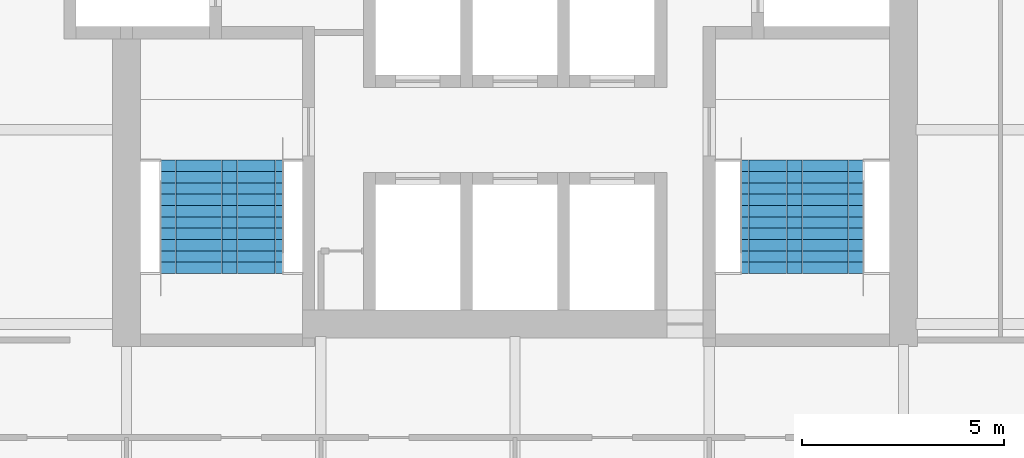
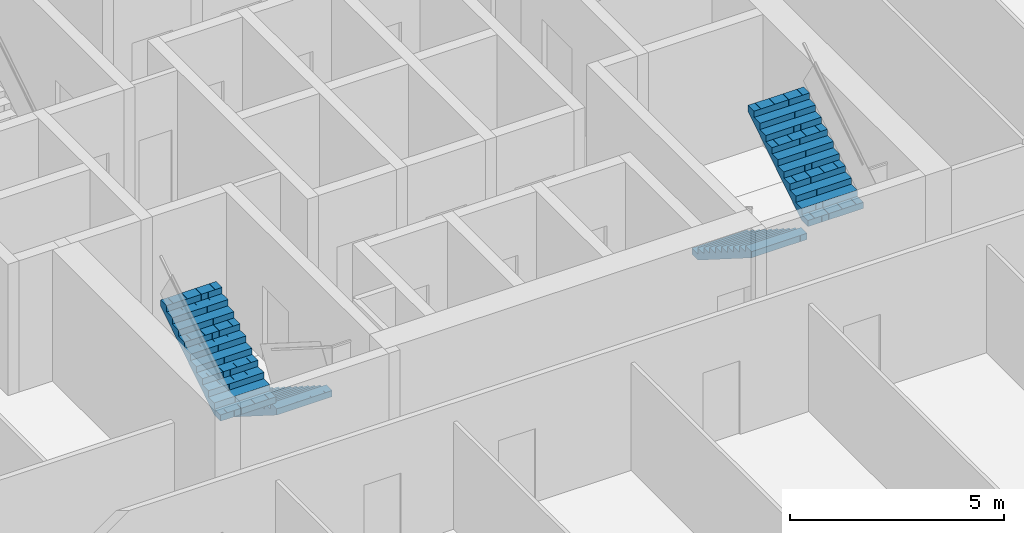
# One storey, part 13 of 16: 4 stair flights, 2 elements without a shape of their own.
"""IFC4 building model written with IfcOpenShell, lengths in metres."""

from ifc_helpers import new_model, si_unit, direction, frame, origin, place, context, subcontext, project, spatial, polyline, outline, extrude, material, type_object, element, aggregate, save


model = new_model("IFC4")

# Units and contexts
model_context = context("Model", 3, precision=1e-05, world=origin(), true_north=direction((0.0, 1.0)))
body_context = subcontext(model_context, "Body", "Model", "MODEL_VIEW")
ifc_project = project(units=[si_unit("LENGTHUNIT", "METRE"), si_unit("AREAUNIT", "SQUARE_METRE"), si_unit("VOLUMEUNIT", "CUBIC_METRE"), si_unit("PLANEANGLEUNIT", "RADIAN"), si_unit("MASSUNIT", "GRAM", prefix="KILO")], contexts=[model_context])

# Site, building, storey
site_placement = place(None, origin())
site = spatial("IfcSite", under=ifc_project, at=site_placement, CompositionType="ELEMENT")
building_placement = place(site_placement, origin())
building = spatial("IfcBuilding", under=site, at=building_placement, Name="Kolab Exchange Tower", CompositionType="ELEMENT")
storey_placement = place(building_placement, frame((0.0, 0.0, 193.39990234375)))
storey = spatial("IfcBuildingStorey", under=building, at=storey_placement, Name="L41", CompositionType="ELEMENT", Elevation=193.39990234375)

# Stair, stair flights
ifc_material = material(Name="Concrete C50/60", Category="concrete")
stair_type_1 = type_object("IfcStairType", Name="STAIR ST3 RISER 177.3", PredefinedType="HALF_TURN_STAIR", material=ifc_material)
stair_1_placement = place(storey_placement, origin())
stair_1 = element("IfcStair", 1, at=stair_1_placement, inside=storey, type_object=stair_type_1, Name="Stair 3", PredefinedType="HALF_TURN_STAIR")
stair_flight_type = type_object("IfcStairFlightType", Name="STAIR FLIGHT 1500 RISER 177.3", PredefinedType="STRAIGHT", material=ifc_material)
stair_flight_1_placement = place(storey_placement, frame((-6.489990234375, -5.550048828125, 0.0), z_axis=(0.0, 0.0, 1.0), x_axis=(0.0, -1.0, 0.0)))
stair_flight_1 = element("IfcStairFlight", 2, at=stair_flight_1_placement, type_object=stair_flight_type, Name="ST3 flight 1", NumberOfRisers=11, NumberOfTreads=10, PredefinedType="STRAIGHT", RiserHeight=0.177272727, TreadLength=0.28, context=body_context, shape_type="SweptSolid", body=[
    extrude(outline(polyline([(0.0, 0.0), (0.0, 0.17724609375), (0.280029296875, 0.17724609375), (0.280029296875, 0.3544921875), (0.56005859375, 0.3544921875), (0.56005859375, 0.53173828125), (0.840087890625, 0.53173828125), (0.840087890625, 0.708984375), (1.1201171875, 0.708984375), (1.1201171875, 0.886474609375), (1.39990234375, 0.886474609375), (1.39990234375, 1.063720703125), (1.679931640625, 1.063720703125), (1.679931640625, 1.240966796875), (1.9599609375, 1.240966796875), (1.9599609375, 1.418212890625), (2.239990234375, 1.418212890625), (2.239990234375, 1.595458984375), (2.52001953125, 1.595458984375), (2.52001953125, 1.772705078125), (2.800048828125, 1.772705078125), (2.800048828125, 1.949951171875), (2.800048828125, 1.59521484375), (0.2802734375, 0.0), (0.0, 0.0)])), frame((0.0, 0.75, 0.0), z_axis=(0.0, -1.0, 0.0), x_axis=(1.0, 0.0, 0.0)), (0.0, 0.0, 1.0), 0.185791015625),
    extrude(outline(polyline([(0.0, 0.0), (0.0, 0.17724609375), (0.280029296875, 0.17724609375), (0.280029296875, 0.3544921875), (0.56005859375, 0.3544921875), (0.56005859375, 0.53173828125), (0.840087890625, 0.53173828125), (0.840087890625, 0.708984375), (1.1201171875, 0.708984375), (1.1201171875, 0.886474609375), (1.39990234375, 0.886474609375), (1.39990234375, 1.063720703125), (1.679931640625, 1.063720703125), (1.679931640625, 1.240966796875), (1.9599609375, 1.240966796875), (1.9599609375, 1.418212890625), (2.239990234375, 1.418212890625), (2.239990234375, 1.595458984375), (2.52001953125, 1.595458984375), (2.52001953125, 1.772705078125), (2.800048828125, 1.772705078125), (2.800048828125, 1.949951171875), (2.800048828125, 1.59521484375), (0.2802734375, 0.0), (0.0, 0.0)])), frame((0.0, 0.562255859375, 0.0), z_axis=(0.0, -1.0, 0.0), x_axis=(1.0, 0.0, 0.0)), (0.0, 0.0, 1.0), 0.185791015625),
    extrude(outline(polyline([(0.0, 0.0), (0.0, 0.17724609375), (0.280029296875, 0.17724609375), (0.280029296875, 0.3544921875), (0.56005859375, 0.3544921875), (0.56005859375, 0.53173828125), (0.840087890625, 0.53173828125), (0.840087890625, 0.708984375), (1.1201171875, 0.708984375), (1.1201171875, 0.886474609375), (1.39990234375, 0.886474609375), (1.39990234375, 1.063720703125), (1.679931640625, 1.063720703125), (1.679931640625, 1.240966796875), (1.9599609375, 1.240966796875), (1.9599609375, 1.418212890625), (2.239990234375, 1.418212890625), (2.239990234375, 1.595458984375), (2.52001953125, 1.595458984375), (2.52001953125, 1.772705078125), (2.800048828125, 1.772705078125), (2.800048828125, 1.949951171875), (2.800048828125, 1.59521484375), (0.2802734375, 0.0), (0.0, 0.0)])), frame((0.0, 0.37451171875, 0.0), z_axis=(0.0, -1.0, 0.0), x_axis=(1.0, 0.0, 0.0)), (0.0, 0.0, 1.0), 0.185791015625),
    extrude(outline(polyline([(0.0, 0.0), (0.0, 0.17724609375), (0.280029296875, 0.17724609375), (0.280029296875, 0.3544921875), (0.56005859375, 0.3544921875), (0.56005859375, 0.53173828125), (0.840087890625, 0.53173828125), (0.840087890625, 0.708984375), (1.1201171875, 0.708984375), (1.1201171875, 0.886474609375), (1.39990234375, 0.886474609375), (1.39990234375, 1.063720703125), (1.679931640625, 1.063720703125), (1.679931640625, 1.240966796875), (1.9599609375, 1.240966796875), (1.9599609375, 1.418212890625), (2.239990234375, 1.418212890625), (2.239990234375, 1.595458984375), (2.52001953125, 1.595458984375), (2.52001953125, 1.772705078125), (2.800048828125, 1.772705078125), (2.800048828125, 1.949951171875), (2.800048828125, 1.59521484375), (0.2802734375, 0.0), (0.0, 0.0)])), frame((0.0, 0.186767578125, 0.0), z_axis=(0.0, -1.0, 0.0), x_axis=(1.0, 0.0, 0.0)), (0.0, 0.0, 1.0), 0.185791015625),
    extrude(outline(polyline([(0.0, 0.0), (0.0, 0.17724609375), (0.280029296875, 0.17724609375), (0.280029296875, 0.3544921875), (0.56005859375, 0.3544921875), (0.56005859375, 0.53173828125), (0.840087890625, 0.53173828125), (0.840087890625, 0.708984375), (1.1201171875, 0.708984375), (1.1201171875, 0.886474609375), (1.39990234375, 0.886474609375), (1.39990234375, 1.063720703125), (1.679931640625, 1.063720703125), (1.679931640625, 1.240966796875), (1.9599609375, 1.240966796875), (1.9599609375, 1.418212890625), (2.239990234375, 1.418212890625), (2.239990234375, 1.595458984375), (2.52001953125, 1.595458984375), (2.52001953125, 1.772705078125), (2.800048828125, 1.772705078125), (2.800048828125, 1.949951171875), (2.800048828125, 1.59521484375), (0.2802734375, 0.0), (0.0, 0.0)])), frame((0.0, -0.0009765625, 0.0), z_axis=(0.0, -1.0, 0.0), x_axis=(1.0, 0.0, 0.0)), (0.0, 0.0, 1.0), 0.185791015625),
    extrude(outline(polyline([(0.0, 0.0), (0.0, 0.17724609375), (0.280029296875, 0.17724609375), (0.280029296875, 0.3544921875), (0.56005859375, 0.3544921875), (0.56005859375, 0.53173828125), (0.840087890625, 0.53173828125), (0.840087890625, 0.708984375), (1.1201171875, 0.708984375), (1.1201171875, 0.886474609375), (1.39990234375, 0.886474609375), (1.39990234375, 1.063720703125), (1.679931640625, 1.063720703125), (1.679931640625, 1.240966796875), (1.9599609375, 1.240966796875), (1.9599609375, 1.418212890625), (2.239990234375, 1.418212890625), (2.239990234375, 1.595458984375), (2.52001953125, 1.595458984375), (2.52001953125, 1.772705078125), (2.800048828125, 1.772705078125), (2.800048828125, 1.949951171875), (2.800048828125, 1.59521484375), (0.2802734375, 0.0), (0.0, 0.0)])), frame((0.0, -0.188720703125, 0.0), z_axis=(0.0, -1.0, 0.0), x_axis=(1.0, 0.0, 0.0)), (0.0, 0.0, 1.0), 0.185791015625),
    extrude(outline(polyline([(0.0, 0.0), (0.0, 0.17724609375), (0.280029296875, 0.17724609375), (0.280029296875, 0.3544921875), (0.56005859375, 0.3544921875), (0.56005859375, 0.53173828125), (0.840087890625, 0.53173828125), (0.840087890625, 0.708984375), (1.1201171875, 0.708984375), (1.1201171875, 0.886474609375), (1.39990234375, 0.886474609375), (1.39990234375, 1.063720703125), (1.679931640625, 1.063720703125), (1.679931640625, 1.240966796875), (1.9599609375, 1.240966796875), (1.9599609375, 1.418212890625), (2.239990234375, 1.418212890625), (2.239990234375, 1.595458984375), (2.52001953125, 1.595458984375), (2.52001953125, 1.772705078125), (2.800048828125, 1.772705078125), (2.800048828125, 1.949951171875), (2.800048828125, 1.59521484375), (0.2802734375, 0.0), (0.0, 0.0)])), frame((0.0, -0.37646484375, 0.0), z_axis=(0.0, -1.0, 0.0), x_axis=(1.0, 0.0, 0.0)), (0.0, 0.0, 1.0), 0.185791015625),
    extrude(outline(polyline([(0.0, 0.0), (0.0, 0.17724609375), (0.280029296875, 0.17724609375), (0.280029296875, 0.3544921875), (0.56005859375, 0.3544921875), (0.56005859375, 0.53173828125), (0.840087890625, 0.53173828125), (0.840087890625, 0.708984375), (1.1201171875, 0.708984375), (1.1201171875, 0.886474609375), (1.39990234375, 0.886474609375), (1.39990234375, 1.063720703125), (1.679931640625, 1.063720703125), (1.679931640625, 1.240966796875), (1.9599609375, 1.240966796875), (1.9599609375, 1.418212890625), (2.239990234375, 1.418212890625), (2.239990234375, 1.595458984375), (2.52001953125, 1.595458984375), (2.52001953125, 1.772705078125), (2.800048828125, 1.772705078125), (2.800048828125, 1.949951171875), (2.800048828125, 1.59521484375), (0.2802734375, 0.0), (0.0, 0.0)])), frame((0.0, -0.564208984375, 0.0), z_axis=(0.0, -1.0, 0.0), x_axis=(1.0, 0.0, 0.0)), (0.0, 0.0, 1.0), 0.185791015625),
])
stair_flight_2_placement = place(storey_placement, frame((-8.010009765625, -8.35009765625, 1.9501953125), z_axis=(0.0, 0.0, 1.0), x_axis=(0.0, 1.0, 0.0)))
stair_flight_2 = element("IfcStairFlight", 3, at=stair_flight_2_placement, type_object=stair_flight_type, Name="ST3 flight 2", NumberOfRisers=11, NumberOfTreads=10, PredefinedType="STRAIGHT", RiserHeight=0.177272727, TreadLength=0.28, context=body_context, shape_type="SweptSolid", body=[
    extrude(outline(polyline([(0.0, 0.0), (0.0, 0.17724609375), (0.280029296875, 0.17724609375), (0.280029296875, 0.3544921875), (0.56005859375, 0.3544921875), (0.56005859375, 0.53173828125), (0.840087890625, 0.53173828125), (0.840087890625, 0.708984375), (1.1201171875, 0.708984375), (1.1201171875, 0.886474609375), (1.39990234375, 0.886474609375), (1.39990234375, 1.063720703125), (1.679931640625, 1.063720703125), (1.679931640625, 1.240966796875), (1.9599609375, 1.240966796875), (1.9599609375, 1.418212890625), (2.239990234375, 1.418212890625), (2.239990234375, 1.595458984375), (2.52001953125, 1.595458984375), (2.52001953125, 1.772705078125), (2.800048828125, 1.772705078125), (2.800048828125, 1.949951171875), (2.800048828125, 1.59521484375), (0.2802734375, 0.0), (0.0, 0.0)])), frame((0.0, 0.75, 0.0), z_axis=(0.0, -1.0, 0.0), x_axis=(1.0, 0.0, 0.0)), (0.0, 0.0, 1.0), 0.185791015625),
    extrude(outline(polyline([(0.0, 0.0), (0.0, 0.17724609375), (0.280029296875, 0.17724609375), (0.280029296875, 0.3544921875), (0.56005859375, 0.3544921875), (0.56005859375, 0.53173828125), (0.840087890625, 0.53173828125), (0.840087890625, 0.708984375), (1.1201171875, 0.708984375), (1.1201171875, 0.886474609375), (1.39990234375, 0.886474609375), (1.39990234375, 1.063720703125), (1.679931640625, 1.063720703125), (1.679931640625, 1.240966796875), (1.9599609375, 1.240966796875), (1.9599609375, 1.418212890625), (2.239990234375, 1.418212890625), (2.239990234375, 1.595458984375), (2.52001953125, 1.595458984375), (2.52001953125, 1.772705078125), (2.800048828125, 1.772705078125), (2.800048828125, 1.949951171875), (2.800048828125, 1.59521484375), (0.2802734375, 0.0), (0.0, 0.0)])), frame((0.0, 0.562255859375, 0.0), z_axis=(0.0, -1.0, 0.0), x_axis=(1.0, 0.0, 0.0)), (0.0, 0.0, 1.0), 0.185791015625),
    extrude(outline(polyline([(0.0, 0.0), (0.0, 0.17724609375), (0.280029296875, 0.17724609375), (0.280029296875, 0.3544921875), (0.56005859375, 0.3544921875), (0.56005859375, 0.53173828125), (0.840087890625, 0.53173828125), (0.840087890625, 0.708984375), (1.1201171875, 0.708984375), (1.1201171875, 0.886474609375), (1.39990234375, 0.886474609375), (1.39990234375, 1.063720703125), (1.679931640625, 1.063720703125), (1.679931640625, 1.240966796875), (1.9599609375, 1.240966796875), (1.9599609375, 1.418212890625), (2.239990234375, 1.418212890625), (2.239990234375, 1.595458984375), (2.52001953125, 1.595458984375), (2.52001953125, 1.772705078125), (2.800048828125, 1.772705078125), (2.800048828125, 1.949951171875), (2.800048828125, 1.59521484375), (0.2802734375, 0.0), (0.0, 0.0)])), frame((0.0, 0.37451171875, 0.0), z_axis=(0.0, -1.0, 0.0), x_axis=(1.0, 0.0, 0.0)), (0.0, 0.0, 1.0), 0.185791015625),
    extrude(outline(polyline([(0.0, 0.0), (0.0, 0.17724609375), (0.280029296875, 0.17724609375), (0.280029296875, 0.3544921875), (0.56005859375, 0.3544921875), (0.56005859375, 0.53173828125), (0.840087890625, 0.53173828125), (0.840087890625, 0.708984375), (1.1201171875, 0.708984375), (1.1201171875, 0.886474609375), (1.39990234375, 0.886474609375), (1.39990234375, 1.063720703125), (1.679931640625, 1.063720703125), (1.679931640625, 1.240966796875), (1.9599609375, 1.240966796875), (1.9599609375, 1.418212890625), (2.239990234375, 1.418212890625), (2.239990234375, 1.595458984375), (2.52001953125, 1.595458984375), (2.52001953125, 1.772705078125), (2.800048828125, 1.772705078125), (2.800048828125, 1.949951171875), (2.800048828125, 1.59521484375), (0.2802734375, 0.0), (0.0, 0.0)])), frame((0.0, 0.186767578125, 0.0), z_axis=(0.0, -1.0, 0.0), x_axis=(1.0, 0.0, 0.0)), (0.0, 0.0, 1.0), 0.185791015625),
    extrude(outline(polyline([(0.0, 0.0), (0.0, 0.17724609375), (0.280029296875, 0.17724609375), (0.280029296875, 0.3544921875), (0.56005859375, 0.3544921875), (0.56005859375, 0.53173828125), (0.840087890625, 0.53173828125), (0.840087890625, 0.708984375), (1.1201171875, 0.708984375), (1.1201171875, 0.886474609375), (1.39990234375, 0.886474609375), (1.39990234375, 1.063720703125), (1.679931640625, 1.063720703125), (1.679931640625, 1.240966796875), (1.9599609375, 1.240966796875), (1.9599609375, 1.418212890625), (2.239990234375, 1.418212890625), (2.239990234375, 1.595458984375), (2.52001953125, 1.595458984375), (2.52001953125, 1.772705078125), (2.800048828125, 1.772705078125), (2.800048828125, 1.949951171875), (2.800048828125, 1.59521484375), (0.2802734375, 0.0), (0.0, 0.0)])), frame((0.0, -0.0009765625, 0.0), z_axis=(0.0, -1.0, 0.0), x_axis=(1.0, 0.0, 0.0)), (0.0, 0.0, 1.0), 0.185791015625),
    extrude(outline(polyline([(0.0, 0.0), (0.0, 0.17724609375), (0.280029296875, 0.17724609375), (0.280029296875, 0.3544921875), (0.56005859375, 0.3544921875), (0.56005859375, 0.53173828125), (0.840087890625, 0.53173828125), (0.840087890625, 0.708984375), (1.1201171875, 0.708984375), (1.1201171875, 0.886474609375), (1.39990234375, 0.886474609375), (1.39990234375, 1.063720703125), (1.679931640625, 1.063720703125), (1.679931640625, 1.240966796875), (1.9599609375, 1.240966796875), (1.9599609375, 1.418212890625), (2.239990234375, 1.418212890625), (2.239990234375, 1.595458984375), (2.52001953125, 1.595458984375), (2.52001953125, 1.772705078125), (2.800048828125, 1.772705078125), (2.800048828125, 1.949951171875), (2.800048828125, 1.59521484375), (0.2802734375, 0.0), (0.0, 0.0)])), frame((0.0, -0.188720703125, 0.0), z_axis=(0.0, -1.0, 0.0), x_axis=(1.0, 0.0, 0.0)), (0.0, 0.0, 1.0), 0.185791015625),
    extrude(outline(polyline([(0.0, 0.0), (0.0, 0.17724609375), (0.280029296875, 0.17724609375), (0.280029296875, 0.3544921875), (0.56005859375, 0.3544921875), (0.56005859375, 0.53173828125), (0.840087890625, 0.53173828125), (0.840087890625, 0.708984375), (1.1201171875, 0.708984375), (1.1201171875, 0.886474609375), (1.39990234375, 0.886474609375), (1.39990234375, 1.063720703125), (1.679931640625, 1.063720703125), (1.679931640625, 1.240966796875), (1.9599609375, 1.240966796875), (1.9599609375, 1.418212890625), (2.239990234375, 1.418212890625), (2.239990234375, 1.595458984375), (2.52001953125, 1.595458984375), (2.52001953125, 1.772705078125), (2.800048828125, 1.772705078125), (2.800048828125, 1.949951171875), (2.800048828125, 1.59521484375), (0.2802734375, 0.0), (0.0, 0.0)])), frame((0.0, -0.37646484375, 0.0), z_axis=(0.0, -1.0, 0.0), x_axis=(1.0, 0.0, 0.0)), (0.0, 0.0, 1.0), 0.185791015625),
    extrude(outline(polyline([(0.0, 0.0), (0.0, 0.17724609375), (0.280029296875, 0.17724609375), (0.280029296875, 0.3544921875), (0.56005859375, 0.3544921875), (0.56005859375, 0.53173828125), (0.840087890625, 0.53173828125), (0.840087890625, 0.708984375), (1.1201171875, 0.708984375), (1.1201171875, 0.886474609375), (1.39990234375, 0.886474609375), (1.39990234375, 1.063720703125), (1.679931640625, 1.063720703125), (1.679931640625, 1.240966796875), (1.9599609375, 1.240966796875), (1.9599609375, 1.418212890625), (2.239990234375, 1.418212890625), (2.239990234375, 1.595458984375), (2.52001953125, 1.595458984375), (2.52001953125, 1.772705078125), (2.800048828125, 1.772705078125), (2.800048828125, 1.949951171875), (2.800048828125, 1.59521484375), (0.2802734375, 0.0), (0.0, 0.0)])), frame((0.0, -0.564208984375, 0.0), z_axis=(0.0, -1.0, 0.0), x_axis=(1.0, 0.0, 0.0)), (0.0, 0.0, 1.0), 0.185791015625),
])
aggregate(stair_1, [stair_flight_1, stair_flight_2])

stair_type_2 = type_object("IfcStairType", Name="STAIR ST2 RISER 177.3", PredefinedType="HALF_TURN_STAIR", material=ifc_material)
stair_2_placement = place(storey_placement, origin())
stair_2 = element("IfcStair", 4, at=stair_2_placement, inside=storey, type_object=stair_type_2, Name="Stair 2", PredefinedType="HALF_TURN_STAIR")
stair_flight_3_placement = place(storey_placement, frame((6.340087890625, -5.550048828125, 0.0), z_axis=(0.0, 0.0, 1.0), x_axis=(0.0, -1.0, 0.0)))
stair_flight_3 = element("IfcStairFlight", 5, at=stair_flight_3_placement, type_object=stair_flight_type, Name="ST2 flight 1", NumberOfRisers=11, NumberOfTreads=10, PredefinedType="STRAIGHT", RiserHeight=0.177272727, TreadLength=0.28, context=body_context, shape_type="SweptSolid", body=[
    extrude(outline(polyline([(0.0, 0.0), (0.0, 0.17724609375), (0.280029296875, 0.17724609375), (0.280029296875, 0.3544921875), (0.56005859375, 0.3544921875), (0.56005859375, 0.53173828125), (0.840087890625, 0.53173828125), (0.840087890625, 0.708984375), (1.1201171875, 0.708984375), (1.1201171875, 0.886474609375), (1.39990234375, 0.886474609375), (1.39990234375, 1.063720703125), (1.679931640625, 1.063720703125), (1.679931640625, 1.240966796875), (1.9599609375, 1.240966796875), (1.9599609375, 1.418212890625), (2.239990234375, 1.418212890625), (2.239990234375, 1.595458984375), (2.52001953125, 1.595458984375), (2.52001953125, 1.772705078125), (2.800048828125, 1.772705078125), (2.800048828125, 1.949951171875), (2.800048828125, 1.59521484375), (0.2802734375, 0.0), (0.0, 0.0)])), frame((0.0, 0.75, 0.0), z_axis=(0.0, -1.0, 0.0), x_axis=(1.0, 0.0, 0.0)), (0.0, 0.0, 1.0), 0.185791015625),
    extrude(outline(polyline([(0.0, 0.0), (0.0, 0.17724609375), (0.280029296875, 0.17724609375), (0.280029296875, 0.3544921875), (0.56005859375, 0.3544921875), (0.56005859375, 0.53173828125), (0.840087890625, 0.53173828125), (0.840087890625, 0.708984375), (1.1201171875, 0.708984375), (1.1201171875, 0.886474609375), (1.39990234375, 0.886474609375), (1.39990234375, 1.063720703125), (1.679931640625, 1.063720703125), (1.679931640625, 1.240966796875), (1.9599609375, 1.240966796875), (1.9599609375, 1.418212890625), (2.239990234375, 1.418212890625), (2.239990234375, 1.595458984375), (2.52001953125, 1.595458984375), (2.52001953125, 1.772705078125), (2.800048828125, 1.772705078125), (2.800048828125, 1.949951171875), (2.800048828125, 1.59521484375), (0.2802734375, 0.0), (0.0, 0.0)])), frame((0.0, 0.562255859375, 0.0), z_axis=(0.0, -1.0, 0.0), x_axis=(1.0, 0.0, 0.0)), (0.0, 0.0, 1.0), 0.185791015625),
    extrude(outline(polyline([(0.0, 0.0), (0.0, 0.17724609375), (0.280029296875, 0.17724609375), (0.280029296875, 0.3544921875), (0.56005859375, 0.3544921875), (0.56005859375, 0.53173828125), (0.840087890625, 0.53173828125), (0.840087890625, 0.708984375), (1.1201171875, 0.708984375), (1.1201171875, 0.886474609375), (1.39990234375, 0.886474609375), (1.39990234375, 1.063720703125), (1.679931640625, 1.063720703125), (1.679931640625, 1.240966796875), (1.9599609375, 1.240966796875), (1.9599609375, 1.418212890625), (2.239990234375, 1.418212890625), (2.239990234375, 1.595458984375), (2.52001953125, 1.595458984375), (2.52001953125, 1.772705078125), (2.800048828125, 1.772705078125), (2.800048828125, 1.949951171875), (2.800048828125, 1.59521484375), (0.2802734375, 0.0), (0.0, 0.0)])), frame((0.0, 0.37451171875, 0.0), z_axis=(0.0, -1.0, 0.0), x_axis=(1.0, 0.0, 0.0)), (0.0, 0.0, 1.0), 0.185791015625),
    extrude(outline(polyline([(0.0, 0.0), (0.0, 0.17724609375), (0.280029296875, 0.17724609375), (0.280029296875, 0.3544921875), (0.56005859375, 0.3544921875), (0.56005859375, 0.53173828125), (0.840087890625, 0.53173828125), (0.840087890625, 0.708984375), (1.1201171875, 0.708984375), (1.1201171875, 0.886474609375), (1.39990234375, 0.886474609375), (1.39990234375, 1.063720703125), (1.679931640625, 1.063720703125), (1.679931640625, 1.240966796875), (1.9599609375, 1.240966796875), (1.9599609375, 1.418212890625), (2.239990234375, 1.418212890625), (2.239990234375, 1.595458984375), (2.52001953125, 1.595458984375), (2.52001953125, 1.772705078125), (2.800048828125, 1.772705078125), (2.800048828125, 1.949951171875), (2.800048828125, 1.59521484375), (0.2802734375, 0.0), (0.0, 0.0)])), frame((0.0, 0.186767578125, 0.0), z_axis=(0.0, -1.0, 0.0), x_axis=(1.0, 0.0, 0.0)), (0.0, 0.0, 1.0), 0.185791015625),
    extrude(outline(polyline([(0.0, 0.0), (0.0, 0.17724609375), (0.280029296875, 0.17724609375), (0.280029296875, 0.3544921875), (0.56005859375, 0.3544921875), (0.56005859375, 0.53173828125), (0.840087890625, 0.53173828125), (0.840087890625, 0.708984375), (1.1201171875, 0.708984375), (1.1201171875, 0.886474609375), (1.39990234375, 0.886474609375), (1.39990234375, 1.063720703125), (1.679931640625, 1.063720703125), (1.679931640625, 1.240966796875), (1.9599609375, 1.240966796875), (1.9599609375, 1.418212890625), (2.239990234375, 1.418212890625), (2.239990234375, 1.595458984375), (2.52001953125, 1.595458984375), (2.52001953125, 1.772705078125), (2.800048828125, 1.772705078125), (2.800048828125, 1.949951171875), (2.800048828125, 1.59521484375), (0.2802734375, 0.0), (0.0, 0.0)])), frame((0.0, -0.0009765625, 0.0), z_axis=(0.0, -1.0, 0.0), x_axis=(1.0, 0.0, 0.0)), (0.0, 0.0, 1.0), 0.185791015625),
    extrude(outline(polyline([(0.0, 0.0), (0.0, 0.17724609375), (0.280029296875, 0.17724609375), (0.280029296875, 0.3544921875), (0.56005859375, 0.3544921875), (0.56005859375, 0.53173828125), (0.840087890625, 0.53173828125), (0.840087890625, 0.708984375), (1.1201171875, 0.708984375), (1.1201171875, 0.886474609375), (1.39990234375, 0.886474609375), (1.39990234375, 1.063720703125), (1.679931640625, 1.063720703125), (1.679931640625, 1.240966796875), (1.9599609375, 1.240966796875), (1.9599609375, 1.418212890625), (2.239990234375, 1.418212890625), (2.239990234375, 1.595458984375), (2.52001953125, 1.595458984375), (2.52001953125, 1.772705078125), (2.800048828125, 1.772705078125), (2.800048828125, 1.949951171875), (2.800048828125, 1.59521484375), (0.2802734375, 0.0), (0.0, 0.0)])), frame((0.0, -0.188720703125, 0.0), z_axis=(0.0, -1.0, 0.0), x_axis=(1.0, 0.0, 0.0)), (0.0, 0.0, 1.0), 0.185791015625),
    extrude(outline(polyline([(0.0, 0.0), (0.0, 0.17724609375), (0.280029296875, 0.17724609375), (0.280029296875, 0.3544921875), (0.56005859375, 0.3544921875), (0.56005859375, 0.53173828125), (0.840087890625, 0.53173828125), (0.840087890625, 0.708984375), (1.1201171875, 0.708984375), (1.1201171875, 0.886474609375), (1.39990234375, 0.886474609375), (1.39990234375, 1.063720703125), (1.679931640625, 1.063720703125), (1.679931640625, 1.240966796875), (1.9599609375, 1.240966796875), (1.9599609375, 1.418212890625), (2.239990234375, 1.418212890625), (2.239990234375, 1.595458984375), (2.52001953125, 1.595458984375), (2.52001953125, 1.772705078125), (2.800048828125, 1.772705078125), (2.800048828125, 1.949951171875), (2.800048828125, 1.59521484375), (0.2802734375, 0.0), (0.0, 0.0)])), frame((0.0, -0.37646484375, 0.0), z_axis=(0.0, -1.0, 0.0), x_axis=(1.0, 0.0, 0.0)), (0.0, 0.0, 1.0), 0.185791015625),
    extrude(outline(polyline([(0.0, 0.0), (0.0, 0.17724609375), (0.280029296875, 0.17724609375), (0.280029296875, 0.3544921875), (0.56005859375, 0.3544921875), (0.56005859375, 0.53173828125), (0.840087890625, 0.53173828125), (0.840087890625, 0.708984375), (1.1201171875, 0.708984375), (1.1201171875, 0.886474609375), (1.39990234375, 0.886474609375), (1.39990234375, 1.063720703125), (1.679931640625, 1.063720703125), (1.679931640625, 1.240966796875), (1.9599609375, 1.240966796875), (1.9599609375, 1.418212890625), (2.239990234375, 1.418212890625), (2.239990234375, 1.595458984375), (2.52001953125, 1.595458984375), (2.52001953125, 1.772705078125), (2.800048828125, 1.772705078125), (2.800048828125, 1.949951171875), (2.800048828125, 1.59521484375), (0.2802734375, 0.0), (0.0, 0.0)])), frame((0.0, -0.564208984375, 0.0), z_axis=(0.0, -1.0, 0.0), x_axis=(1.0, 0.0, 0.0)), (0.0, 0.0, 1.0), 0.185791015625),
])
stair_flight_4_placement = place(storey_placement, frame((7.860107421875, -8.35009765625, 1.9501953125), z_axis=(0.0, 0.0, 1.0), x_axis=(0.0, 1.0, 0.0)))
stair_flight_4 = element("IfcStairFlight", 6, at=stair_flight_4_placement, type_object=stair_flight_type, Name="ST2 flight 2", NumberOfRisers=11, NumberOfTreads=10, PredefinedType="STRAIGHT", RiserHeight=0.177272727, TreadLength=0.28, context=body_context, shape_type="SweptSolid", body=[
    extrude(outline(polyline([(0.0, 0.0), (0.0, 0.17724609375), (0.280029296875, 0.17724609375), (0.280029296875, 0.3544921875), (0.56005859375, 0.3544921875), (0.56005859375, 0.53173828125), (0.840087890625, 0.53173828125), (0.840087890625, 0.708984375), (1.1201171875, 0.708984375), (1.1201171875, 0.886474609375), (1.39990234375, 0.886474609375), (1.39990234375, 1.063720703125), (1.679931640625, 1.063720703125), (1.679931640625, 1.240966796875), (1.9599609375, 1.240966796875), (1.9599609375, 1.418212890625), (2.239990234375, 1.418212890625), (2.239990234375, 1.595458984375), (2.52001953125, 1.595458984375), (2.52001953125, 1.772705078125), (2.800048828125, 1.772705078125), (2.800048828125, 1.949951171875), (2.800048828125, 1.59521484375), (0.2802734375, 0.0), (0.0, 0.0)])), frame((0.0, 0.75, 0.0), z_axis=(0.0, -1.0, 0.0), x_axis=(1.0, 0.0, 0.0)), (0.0, 0.0, 1.0), 0.185791015625),
    extrude(outline(polyline([(0.0, 0.0), (0.0, 0.17724609375), (0.280029296875, 0.17724609375), (0.280029296875, 0.3544921875), (0.56005859375, 0.3544921875), (0.56005859375, 0.53173828125), (0.840087890625, 0.53173828125), (0.840087890625, 0.708984375), (1.1201171875, 0.708984375), (1.1201171875, 0.886474609375), (1.39990234375, 0.886474609375), (1.39990234375, 1.063720703125), (1.679931640625, 1.063720703125), (1.679931640625, 1.240966796875), (1.9599609375, 1.240966796875), (1.9599609375, 1.418212890625), (2.239990234375, 1.418212890625), (2.239990234375, 1.595458984375), (2.52001953125, 1.595458984375), (2.52001953125, 1.772705078125), (2.800048828125, 1.772705078125), (2.800048828125, 1.949951171875), (2.800048828125, 1.59521484375), (0.2802734375, 0.0), (0.0, 0.0)])), frame((0.0, 0.562255859375, 0.0), z_axis=(0.0, -1.0, 0.0), x_axis=(1.0, 0.0, 0.0)), (0.0, 0.0, 1.0), 0.185791015625),
    extrude(outline(polyline([(0.0, 0.0), (0.0, 0.17724609375), (0.280029296875, 0.17724609375), (0.280029296875, 0.3544921875), (0.56005859375, 0.3544921875), (0.56005859375, 0.53173828125), (0.840087890625, 0.53173828125), (0.840087890625, 0.708984375), (1.1201171875, 0.708984375), (1.1201171875, 0.886474609375), (1.39990234375, 0.886474609375), (1.39990234375, 1.063720703125), (1.679931640625, 1.063720703125), (1.679931640625, 1.240966796875), (1.9599609375, 1.240966796875), (1.9599609375, 1.418212890625), (2.239990234375, 1.418212890625), (2.239990234375, 1.595458984375), (2.52001953125, 1.595458984375), (2.52001953125, 1.772705078125), (2.800048828125, 1.772705078125), (2.800048828125, 1.949951171875), (2.800048828125, 1.59521484375), (0.2802734375, 0.0), (0.0, 0.0)])), frame((0.0, 0.37451171875, 0.0), z_axis=(0.0, -1.0, 0.0), x_axis=(1.0, 0.0, 0.0)), (0.0, 0.0, 1.0), 0.185791015625),
    extrude(outline(polyline([(0.0, 0.0), (0.0, 0.17724609375), (0.280029296875, 0.17724609375), (0.280029296875, 0.3544921875), (0.56005859375, 0.3544921875), (0.56005859375, 0.53173828125), (0.840087890625, 0.53173828125), (0.840087890625, 0.708984375), (1.1201171875, 0.708984375), (1.1201171875, 0.886474609375), (1.39990234375, 0.886474609375), (1.39990234375, 1.063720703125), (1.679931640625, 1.063720703125), (1.679931640625, 1.240966796875), (1.9599609375, 1.240966796875), (1.9599609375, 1.418212890625), (2.239990234375, 1.418212890625), (2.239990234375, 1.595458984375), (2.52001953125, 1.595458984375), (2.52001953125, 1.772705078125), (2.800048828125, 1.772705078125), (2.800048828125, 1.949951171875), (2.800048828125, 1.59521484375), (0.2802734375, 0.0), (0.0, 0.0)])), frame((0.0, 0.186767578125, 0.0), z_axis=(0.0, -1.0, 0.0), x_axis=(1.0, 0.0, 0.0)), (0.0, 0.0, 1.0), 0.185791015625),
    extrude(outline(polyline([(0.0, 0.0), (0.0, 0.17724609375), (0.280029296875, 0.17724609375), (0.280029296875, 0.3544921875), (0.56005859375, 0.3544921875), (0.56005859375, 0.53173828125), (0.840087890625, 0.53173828125), (0.840087890625, 0.708984375), (1.1201171875, 0.708984375), (1.1201171875, 0.886474609375), (1.39990234375, 0.886474609375), (1.39990234375, 1.063720703125), (1.679931640625, 1.063720703125), (1.679931640625, 1.240966796875), (1.9599609375, 1.240966796875), (1.9599609375, 1.418212890625), (2.239990234375, 1.418212890625), (2.239990234375, 1.595458984375), (2.52001953125, 1.595458984375), (2.52001953125, 1.772705078125), (2.800048828125, 1.772705078125), (2.800048828125, 1.949951171875), (2.800048828125, 1.59521484375), (0.2802734375, 0.0), (0.0, 0.0)])), frame((0.0, -0.0009765625, 0.0), z_axis=(0.0, -1.0, 0.0), x_axis=(1.0, 0.0, 0.0)), (0.0, 0.0, 1.0), 0.185791015625),
    extrude(outline(polyline([(0.0, 0.0), (0.0, 0.17724609375), (0.280029296875, 0.17724609375), (0.280029296875, 0.3544921875), (0.56005859375, 0.3544921875), (0.56005859375, 0.53173828125), (0.840087890625, 0.53173828125), (0.840087890625, 0.708984375), (1.1201171875, 0.708984375), (1.1201171875, 0.886474609375), (1.39990234375, 0.886474609375), (1.39990234375, 1.063720703125), (1.679931640625, 1.063720703125), (1.679931640625, 1.240966796875), (1.9599609375, 1.240966796875), (1.9599609375, 1.418212890625), (2.239990234375, 1.418212890625), (2.239990234375, 1.595458984375), (2.52001953125, 1.595458984375), (2.52001953125, 1.772705078125), (2.800048828125, 1.772705078125), (2.800048828125, 1.949951171875), (2.800048828125, 1.59521484375), (0.2802734375, 0.0), (0.0, 0.0)])), frame((0.0, -0.188720703125, 0.0), z_axis=(0.0, -1.0, 0.0), x_axis=(1.0, 0.0, 0.0)), (0.0, 0.0, 1.0), 0.185791015625),
    extrude(outline(polyline([(0.0, 0.0), (0.0, 0.17724609375), (0.280029296875, 0.17724609375), (0.280029296875, 0.3544921875), (0.56005859375, 0.3544921875), (0.56005859375, 0.53173828125), (0.840087890625, 0.53173828125), (0.840087890625, 0.708984375), (1.1201171875, 0.708984375), (1.1201171875, 0.886474609375), (1.39990234375, 0.886474609375), (1.39990234375, 1.063720703125), (1.679931640625, 1.063720703125), (1.679931640625, 1.240966796875), (1.9599609375, 1.240966796875), (1.9599609375, 1.418212890625), (2.239990234375, 1.418212890625), (2.239990234375, 1.595458984375), (2.52001953125, 1.595458984375), (2.52001953125, 1.772705078125), (2.800048828125, 1.772705078125), (2.800048828125, 1.949951171875), (2.800048828125, 1.59521484375), (0.2802734375, 0.0), (0.0, 0.0)])), frame((0.0, -0.37646484375, 0.0), z_axis=(0.0, -1.0, 0.0), x_axis=(1.0, 0.0, 0.0)), (0.0, 0.0, 1.0), 0.185791015625),
    extrude(outline(polyline([(0.0, 0.0), (0.0, 0.17724609375), (0.280029296875, 0.17724609375), (0.280029296875, 0.3544921875), (0.56005859375, 0.3544921875), (0.56005859375, 0.53173828125), (0.840087890625, 0.53173828125), (0.840087890625, 0.708984375), (1.1201171875, 0.708984375), (1.1201171875, 0.886474609375), (1.39990234375, 0.886474609375), (1.39990234375, 1.063720703125), (1.679931640625, 1.063720703125), (1.679931640625, 1.240966796875), (1.9599609375, 1.240966796875), (1.9599609375, 1.418212890625), (2.239990234375, 1.418212890625), (2.239990234375, 1.595458984375), (2.52001953125, 1.595458984375), (2.52001953125, 1.772705078125), (2.800048828125, 1.772705078125), (2.800048828125, 1.949951171875), (2.800048828125, 1.59521484375), (0.2802734375, 0.0), (0.0, 0.0)])), frame((0.0, -0.564208984375, 0.0), z_axis=(0.0, -1.0, 0.0), x_axis=(1.0, 0.0, 0.0)), (0.0, 0.0, 1.0), 0.185791015625),
])
aggregate(stair_2, [stair_flight_3, stair_flight_4])

save(model, "model.ifc")
